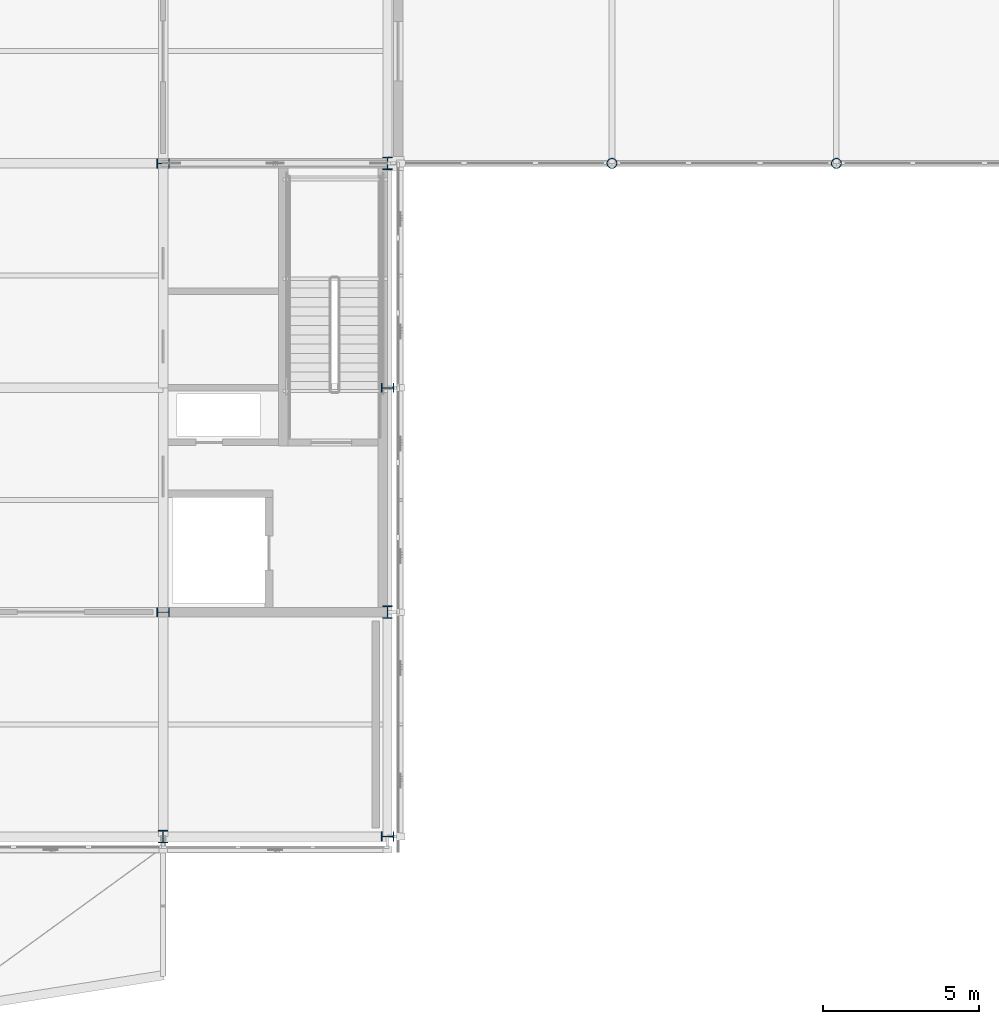
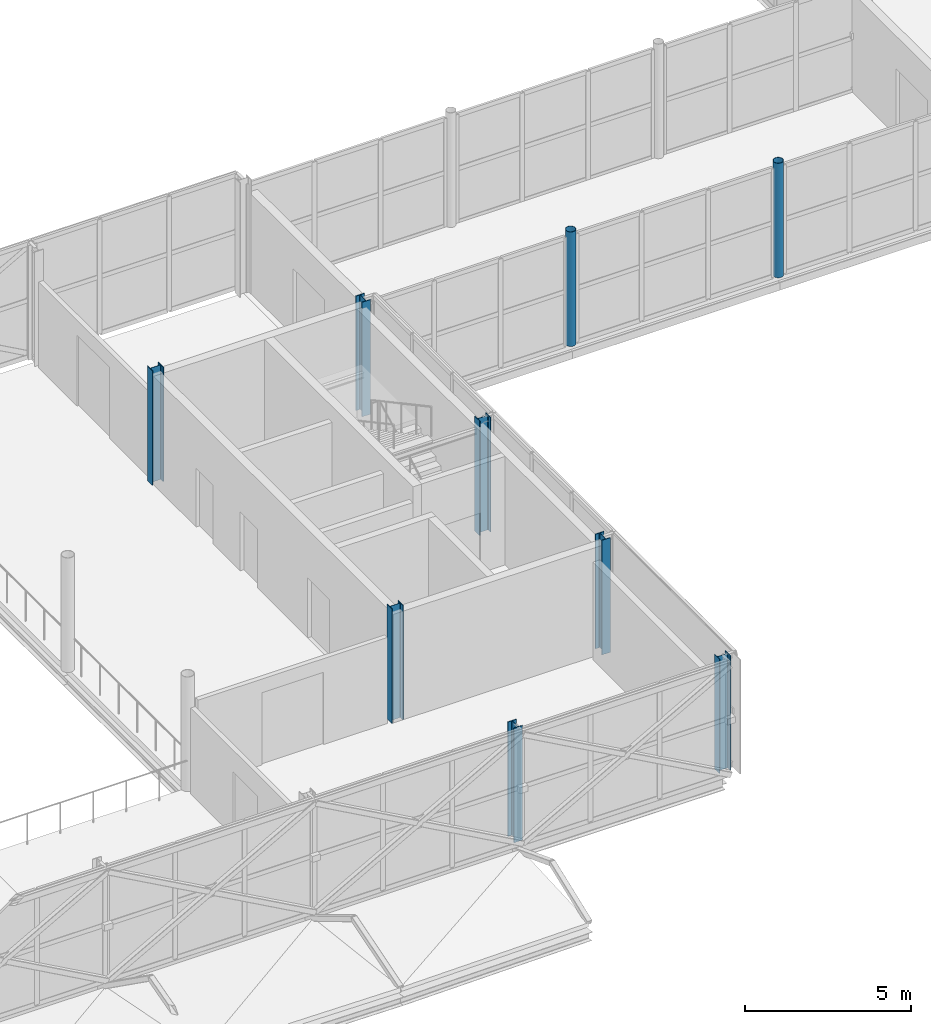
# One storey, part 8 of 146: 9 columns.
"""IFC4 building model written with IfcOpenShell, lengths in metres."""

from ifc_helpers import new_model, si_unit, direction, frame, origin, origin_2d, place, context, subcontext, project, spatial, hollow_circle, i_section, extrude, material, material_profile, profile_set, type_object, element, save


model = new_model("IFC4")

# Units and contexts
model_context = context("Model", 3, precision=1e-05, world=origin(), true_north=direction((0.0, 1.0)))
body_context = subcontext(model_context, "Body", "Model", "MODEL_VIEW")
ifc_project = project(units=[si_unit("LENGTHUNIT", "METRE"), si_unit("AREAUNIT", "SQUARE_METRE"), si_unit("VOLUMEUNIT", "CUBIC_METRE"), si_unit("PLANEANGLEUNIT", "RADIAN"), si_unit("MASSUNIT", "GRAM", prefix="KILO")], contexts=[model_context])

# Site, building, storey
site_placement = place(None, origin())
site = spatial("IfcSite", under=ifc_project, at=site_placement, CompositionType="ELEMENT")
building_placement = place(site_placement, origin())
building = spatial("IfcBuilding", under=site, at=building_placement, Name="Zlatovets Crest Museum", CompositionType="ELEMENT")
storey_placement = place(building_placement, frame((0.0, 0.0, 4.5)))
storey = spatial("IfcBuildingStorey", under=building, at=storey_placement, Name="L01", CompositionType="ELEMENT", Elevation=4.5)

# Columns
ifc_material = material(Name="Structural steel S355J2", Category="steel")
ifc_material_profile_1 = material_profile(ifc_material, i_section(OverallWidth=0.300048828125, OverallDepth=0.39990234375, WebThickness=0.013427734375, FlangeThickness=0.02392578125, FilletRadius=0.027099609375, at=origin_2d()), Name="HEB 400")
ifc_profile_set_1 = profile_set([ifc_material_profile_1], Name="Structural steel S355J2")
column_type_1 = type_object("IfcColumnType", Name="Col_C-07", PredefinedType="COLUMN", material=ifc_profile_set_1)
for number, where, z_axis, x_axis, name in (
    (1, (100.800048828125, 0.0, 0.0), (0.0, 0.0, 1.0), (1.0, 0.0, 0.0), "V2 L01 Column (100.8, 0.0)"),
    (2, (100.800048828125, 7.199951171875, 0.0), (0.0, 0.0, 1.0), (0.0, 1.0, 0.0), "V2 L01 Column (100.8, 7.2)"),
    (3, (100.800048828125, 21.60009765625, 0.0), (0.0, 0.0, 1.0), (0.0, 1.0, 0.0), "V2 L01 Column (100.8, 21.6)"),
    (4, (108.0, 0.0, 0.0), (0.0, 0.0, 1.0), (0.0, 1.0, 0.0), "V2 L01 Column (108.0, 0.0)"),
    (5, (108.0, 7.199951171875, 0.0), (0.0, 0.0, 1.0), (1.0, 0.0, 0.0), "V2 L01 Column (108.0, 7.2)"),
    (6, (108.0, 14.39990234375, 0.0), (0.0, 0.0, 1.0), (0.0, 1.0, 0.0), "V2 L01 Column (108.0, 14.4)"),
    (7, (108.0, 21.60009765625, 0.0), (0.0, 0.0, 1.0), (1.0, 0.0, 0.0), "V2 L01 Column (108.0, 21.6)"),
):
    element("IfcColumn", number, at=place(storey_placement, frame(where, z_axis=z_axis, x_axis=x_axis)), inside=storey, type_object=column_type_1, Name=name, PredefinedType="COLUMN", context=body_context, shape_type="SweptSolid", body=[
        extrude(i_section(OverallWidth=0.300048828125, OverallDepth=0.39990234375, WebThickness=0.013427734375, FlangeThickness=0.02392578125, FilletRadius=0.027099609375, at=origin_2d()), origin(), (0.0, 0.0, 1.0), 4.199951171875),
    ])
ifc_material_profile_2 = material_profile(ifc_material, hollow_circle(Radius=0.161865234375, WallThickness=0.012451171875, at=origin_2d()), Name="CHS 323.9x12.5")
ifc_profile_set_2 = profile_set([ifc_material_profile_2], Name="Structural steel S355J2")
column_type_2 = type_object("IfcColumnType", Name="Col_C-13", PredefinedType="COLUMN", material=ifc_profile_set_2)
for number, where, z_axis, x_axis, name in (
    (8, (115.199951171875, 21.60009765625, 0.0), (0.0, 0.0, 1.0), (1.0, 0.0, 0.0), "Southeast Archive Glazed Link Bridge Portal Column"),
    (9, (122.39990234375, 21.60009765625, 0.0), (0.0, 0.0, 1.0), (1.0, 0.0, 0.0), "Southeast Archive Glazed Link Bridge Portal Column"),
):
    element("IfcColumn", number, at=place(storey_placement, frame(where, z_axis=z_axis, x_axis=x_axis)), inside=storey, type_object=column_type_2, Name=name, PredefinedType="COLUMN", context=body_context, shape_type="SweptSolid", body=[
        extrude(hollow_circle(Radius=0.161865234375, WallThickness=0.012451171875, at=origin_2d()), origin(), (0.0, 0.0, 1.0), 4.199951171875),
    ])

save(model, "model.ifc")
